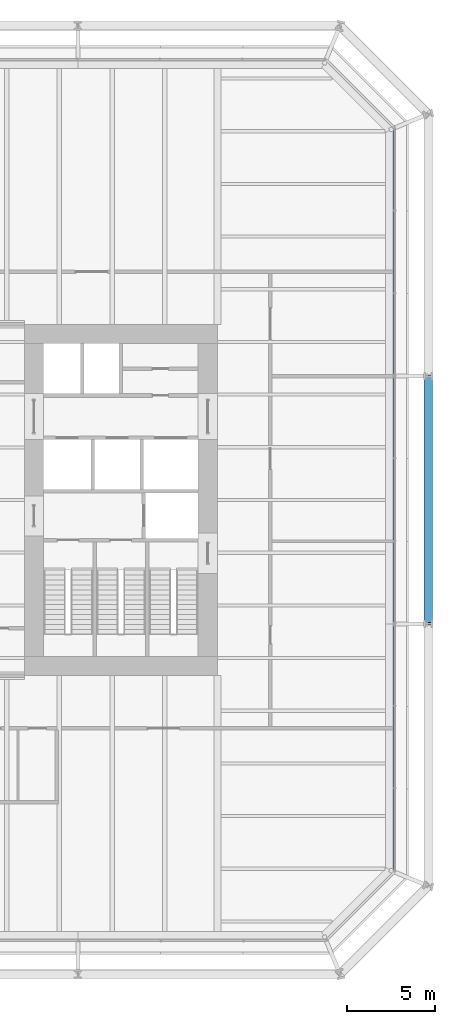
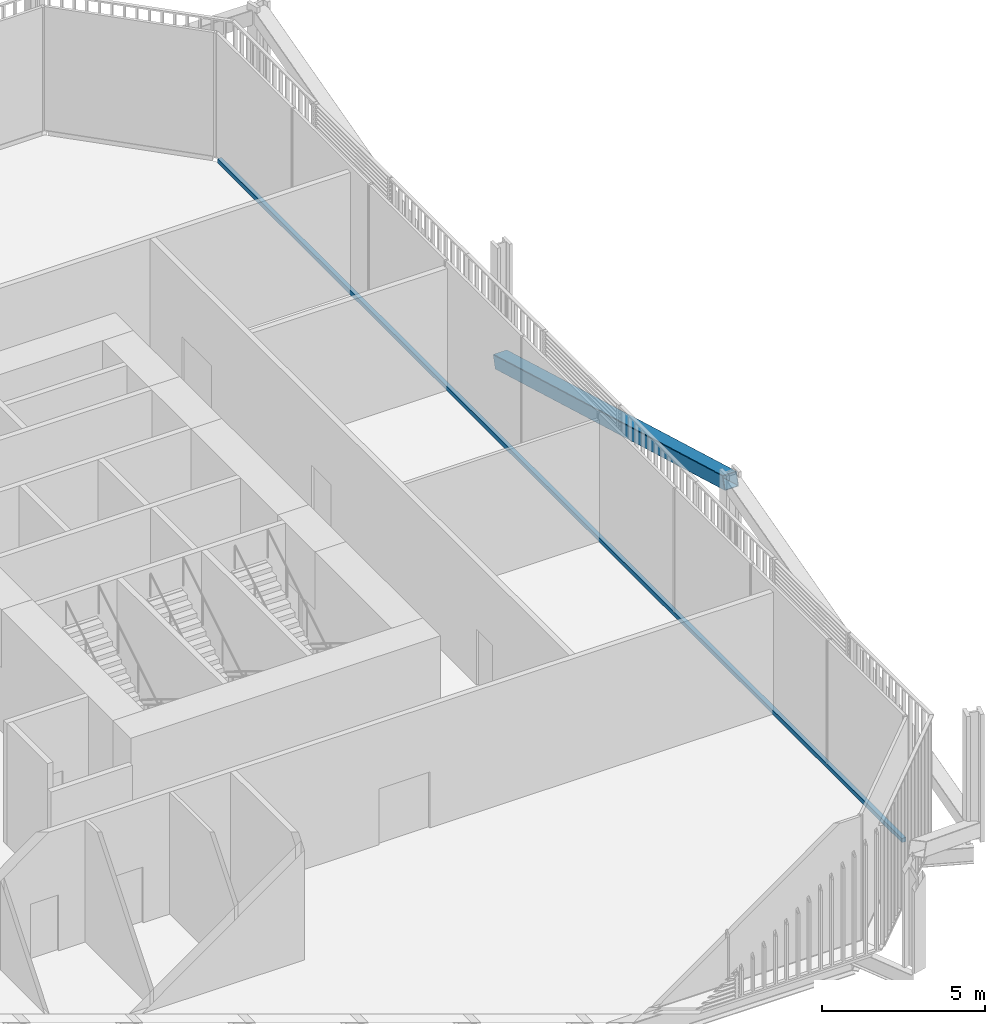
# One storey, part 10 of 22: 2 members, 1 element without a shape of its own.
"""IFC4 building model written with IfcOpenShell, lengths in metres."""

from ifc_helpers import new_model, si_unit, direction, frame, origin, origin_2d, place, context, subcontext, project, spatial, rectangle, hollow_rectangle, extrude, material, layer, layer_set, material_profile, profile_set, type_object, element, aggregate, save


model = new_model("IFC4")

# Units and contexts
model_context = context("Model", 3, precision=1e-05, world=origin(), true_north=direction((0.0, 1.0)))
body_context = subcontext(model_context, "Body", "Model", "MODEL_VIEW")
ifc_project = project(units=[si_unit("LENGTHUNIT", "METRE"), si_unit("AREAUNIT", "SQUARE_METRE"), si_unit("VOLUMEUNIT", "CUBIC_METRE"), si_unit("PLANEANGLEUNIT", "RADIAN"), si_unit("MASSUNIT", "GRAM", prefix="KILO")], contexts=[model_context])

# Site, building, storey
site_placement = place(None, origin())
site = spatial("IfcSite", under=ifc_project, at=site_placement, CompositionType="ELEMENT")
building_placement = place(site_placement, origin())
building = spatial("IfcBuilding", under=site, at=building_placement, Name="Millrace Tower", CompositionType="ELEMENT")
storey_placement = place(building_placement, frame((0.0, 0.0, 30.5)))
storey = spatial("IfcBuildingStorey", under=building, at=storey_placement, Name="L07", CompositionType="ELEMENT", Elevation=30.5)

# Curtain wall, member
ifc_material_1 = material(Name="Aluminium and glass", Category="aluminium")
ifc_layer = layer(ifc_material_1, 0.14990234375)
ifc_layer_set = layer_set([ifc_layer], Name="Aluminium and glass")
curtain_wall_type = type_object("IfcCurtainWallType", Name="CW-2 data hall insulated curtain wall", PredefinedType="NOTDEFINED", material=ifc_layer_set)
curtain_wall_placement = place(storey_placement, origin())
curtain_wall = element("IfcCurtainWall", 1, at=curtain_wall_placement, inside=storey, type_object=curtain_wall_type, Name="Curtain wall A-F04 L07", PredefinedType="NOTDEFINED")
ifc_material_2 = material(Name="Aluminium", Category="aluminium")
ifc_material_profile_1 = material_profile(ifc_material_2, rectangle(XDim=0.14990234375, YDim=0.159912109375, at=origin_2d()))
ifc_profile_set_1 = profile_set([ifc_material_profile_1], Name="Aluminium")
member_type_1 = type_object("IfcMemberType", Name="CW-2 data hall insulated curtain wall transom", PredefinedType="USERDEFINED", material=ifc_profile_set_1)
member_1_placement = place(storey_placement, frame((25.074951171875, -21.050048828125, 0.080078125), z_axis=(0.0, 1.0, 0.0), x_axis=(-1.0, 0.0, 0.0)))
member_1 = element("IfcMember", 2, at=member_1_placement, type_object=member_type_1, Name="CW2 transom A-F04.1", ObjectType="TRANSOM", PredefinedType="USERDEFINED", context=body_context, shape_type="SweptSolid", body=[
    extrude(rectangle(XDim=0.14990234375, YDim=0.159912109375, at=origin_2d()), origin(), (0.0, 0.0, 1.0), 42.10009765625),
])
aggregate(curtain_wall, [member_1])

# Member
ifc_material_3 = material(Name="Steel ASTM A500 Grade C", Category="steel")
ifc_material_profile_2 = material_profile(ifc_material_3, hollow_rectangle(XDim=0.508056640625, YDim=0.508056640625, WallThickness=0.022216796875, InnerFilletRadius=0.01123046875, OuterFilletRadius=0.033447265625, at=origin_2d()))
ifc_profile_set_2 = profile_set([ifc_material_profile_2], Name="Steel ASTM A500 Grade C")
member_type_2 = type_object("IfcMemberType", Name="Exoskeleton brace HSS20x20x7/8", PredefinedType="BRACE", material=ifc_profile_set_2)
member_2_placement = place(storey_placement, frame((27.0, 7.050048828125, 0.39990234375), z_axis=(0.0, -0.962037695102, 0.272916604851), x_axis=(1.0, 0.0, 0.0)))
element("IfcMember", 3, at=member_2_placement, inside=storey, type_object=member_type_2, Name="BRC-A-L07-07", PredefinedType="BRACE", context=body_context, shape_type="SweptSolid", body=[
    extrude(hollow_rectangle(XDim=0.508056640625, YDim=0.508056640625, WallThickness=0.022216796875, InnerFilletRadius=0.01123046875, OuterFilletRadius=0.033447265625, at=origin_2d()), origin(), (0.0, 0.0, 1.0), 14.656494140625),
])

save(model, "model.ifc")
